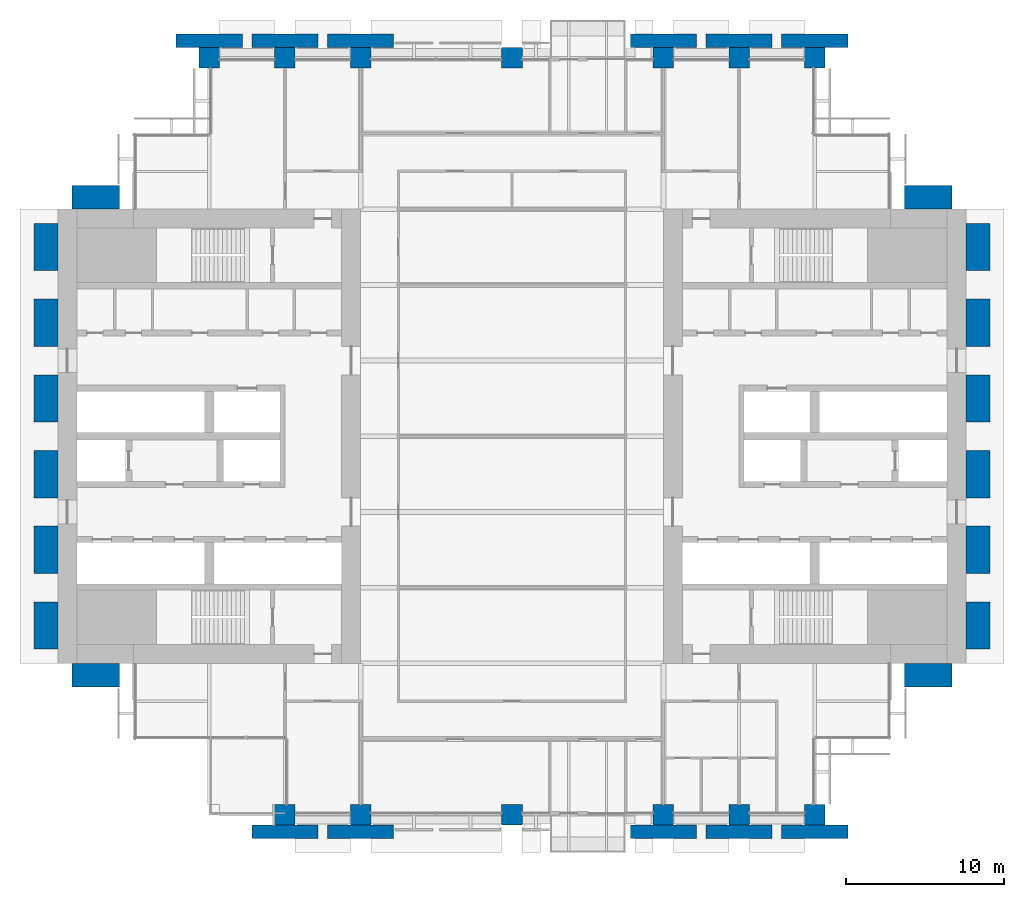
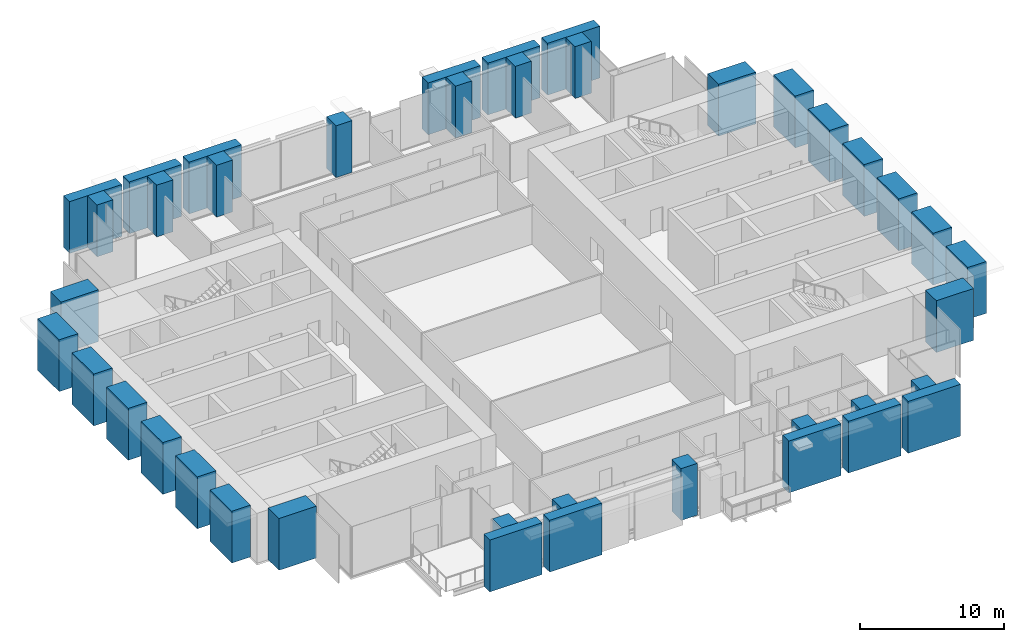
# One storey, part 1 of 15: 40 columns.
"""IFC4 building model written with IfcOpenShell, lengths in metres."""

from ifc_helpers import new_model, si_unit, direction, frame, origin, origin_2d, place, context, subcontext, project, spatial, rectangle, extrude, material, material_profile, profile_set, type_object, element, save


model = new_model("IFC4")

# Units and contexts
model_context = context("Model", 3, precision=1e-05, world=origin(), true_north=direction((0.0, 1.0)))
body_context = subcontext(model_context, "Body", "Model", "MODEL_VIEW")
ifc_project = project(units=[si_unit("LENGTHUNIT", "METRE"), si_unit("AREAUNIT", "SQUARE_METRE"), si_unit("VOLUMEUNIT", "CUBIC_METRE"), si_unit("PLANEANGLEUNIT", "RADIAN"), si_unit("MASSUNIT", "GRAM", prefix="KILO")], contexts=[model_context])

# Site, building, storey
site_placement = place(None, origin())
site = spatial("IfcSite", under=ifc_project, at=site_placement, CompositionType="ELEMENT")
building_placement = place(site_placement, origin())
building = spatial("IfcBuilding", under=site, at=building_placement, Name="Baori Bourse Tower", CompositionType="ELEMENT")
storey_placement = place(building_placement, frame((0.0, 0.0, 34.60009765625)))
storey = spatial("IfcBuildingStorey", under=building, at=storey_placement, Name="L06", CompositionType="ELEMENT", Elevation=34.60009765625)

# Columns
ifc_material_1 = material(Name="Concrete f'c 60 MPa", Category="concrete")
ifc_material_profile_1 = material_profile(ifc_material_1, rectangle(XDim=4.199951171875, YDim=0.85009765625, at=origin_2d()), Name="RC 4200x850")
ifc_profile_set_1 = profile_set([ifc_material_profile_1], Name="Concrete f'c 60 MPa")
column_type_1 = type_object("IfcColumnType", Name="FN3 Brick pilaster 4200x850", PredefinedType="PILASTER", material=ifc_profile_set_1)
for number, where, z_axis, x_axis, name in (
    (1, (14.39990234375, -1.074951171875, 0.0), (0.0, 0.0, 1.0), (1.0, 0.0, 0.0), "Brick pilaster L06 17"),
    (2, (19.199951171875, -1.074951171875, 0.0), (0.0, 0.0, 1.0), (1.0, 0.0, 0.0), "Brick pilaster L06 18"),
    (3, (38.39990234375, -1.074951171875, 0.0), (0.0, 0.0, 1.0), (1.0, 0.0, 0.0), "Brick pilaster L06 19"),
    (4, (43.199951171875, -1.074951171875, 0.0), (0.0, 0.0, 1.0), (1.0, 0.0, 0.0), "Brick pilaster L06 20"),
    (5, (48.0, -1.074951171875, 0.0), (0.0, 0.0, 1.0), (1.0, 0.0, 0.0), "Brick pilaster L06 21"),
    (6, (9.60009765625, 49.074951171875, 0.0), (0.0, 0.0, 1.0), (1.0, 0.0, 0.0), "Brick pilaster L06 22"),
    (7, (14.39990234375, 49.074951171875, 0.0), (0.0, 0.0, 1.0), (1.0, 0.0, 0.0), "Brick pilaster L06 23"),
    (8, (19.199951171875, 49.074951171875, 0.0), (0.0, 0.0, 1.0), (1.0, 0.0, 0.0), "Brick pilaster L06 24"),
    (9, (38.39990234375, 49.074951171875, 0.0), (0.0, 0.0, 1.0), (1.0, 0.0, 0.0), "Brick pilaster L06 25"),
    (10, (43.199951171875, 49.074951171875, 0.0), (0.0, 0.0, 1.0), (1.0, 0.0, 0.0), "Brick pilaster L06 26"),
    (11, (48.0, 49.074951171875, 0.0), (0.0, 0.0, 1.0), (1.0, 0.0, 0.0), "Brick pilaster L06 27"),
):
    element("IfcColumn", number, at=place(storey_placement, frame(where, z_axis=z_axis, x_axis=x_axis)), inside=storey, type_object=column_type_1, Name=name, PredefinedType="PILASTER", context=body_context, shape_type="SweptSolid", body=[
        extrude(rectangle(XDim=4.199951171875, YDim=0.85009765625, at=origin_2d()), origin(), (0.0, 0.0, 1.0), 4.39990234375),
    ])
ifc_material_2 = material(Name="Concrete f'c 60 MPa", Category="concrete")
ifc_material_profile_2 = material_profile(ifc_material_2, rectangle(XDim=3.0, YDim=1.5, at=origin_2d()), Name="RC 3000x1500")
ifc_profile_set_2 = profile_set([ifc_material_profile_2], Name="Concrete f'c 60 MPa")
column_type_2 = type_object("IfcColumnType", Name="FN4 Brick flank pilaster 3000x1500", PredefinedType="PILASTER", material=ifc_profile_set_2)
for number, where, z_axis, x_axis, name in (
    (12, (55.199951171875, 8.85009765625, 0.0), (0.0, 0.0, 1.0), (1.0, 0.0, 0.0), "Brick pilaster L06 1"),
    (13, (58.35009765625, 12.0, 0.0), (0.0, 0.0, 1.0), (0.0, 1.0, 0.0), "Brick pilaster L06 2"),
    (14, (58.35009765625, 16.800048828125, 0.0), (0.0, 0.0, 1.0), (0.0, 1.0, 0.0), "Brick pilaster L06 3"),
    (15, (58.35009765625, 21.60009765625, 0.0), (0.0, 0.0, 1.0), (0.0, 1.0, 0.0), "Brick pilaster L06 4"),
    (16, (58.35009765625, 26.39990234375, 0.0), (0.0, 0.0, 1.0), (0.0, 1.0, 0.0), "Brick pilaster L06 5"),
    (17, (58.35009765625, 31.199951171875, 0.0), (0.0, 0.0, 1.0), (0.0, 1.0, 0.0), "Brick pilaster L06 6"),
    (18, (58.35009765625, 36.0, 0.0), (0.0, 0.0, 1.0), (0.0, 1.0, 0.0), "Brick pilaster L06 7"),
    (19, (55.199951171875, 39.14990234375, 0.0), (0.0, 0.0, 1.0), (1.0, 0.0, 0.0), "Brick pilaster L06 8"),
    (20, (2.39990234375, 39.14990234375, 0.0), (0.0, 0.0, 1.0), (1.0, 0.0, 0.0), "Brick pilaster L06 9"),
    (21, (-0.75, 12.0, 0.0), (0.0, 0.0, 1.0), (0.0, 1.0, 0.0), "Brick pilaster L06 10"),
    (22, (-0.75, 16.800048828125, 0.0), (0.0, 0.0, 1.0), (0.0, 1.0, 0.0), "Brick pilaster L06 11"),
    (23, (-0.75, 21.60009765625, 0.0), (0.0, 0.0, 1.0), (0.0, 1.0, 0.0), "Brick pilaster L06 12"),
    (24, (-0.75, 26.39990234375, 0.0), (0.0, 0.0, 1.0), (0.0, 1.0, 0.0), "Brick pilaster L06 13"),
    (25, (-0.75, 31.199951171875, 0.0), (0.0, 0.0, 1.0), (0.0, 1.0, 0.0), "Brick pilaster L06 14"),
    (26, (-0.75, 36.0, 0.0), (0.0, 0.0, 1.0), (0.0, 1.0, 0.0), "Brick pilaster L06 15"),
    (27, (2.39990234375, 8.85009765625, 0.0), (0.0, 0.0, 1.0), (1.0, 0.0, 0.0), "Brick pilaster L06 16"),
):
    element("IfcColumn", number, at=place(storey_placement, frame(where, z_axis=z_axis, x_axis=x_axis)), inside=storey, type_object=column_type_2, Name=name, PredefinedType="PILASTER", context=body_context, shape_type="SweptSolid", body=[
        extrude(rectangle(XDim=3.0, YDim=1.5, at=origin_2d()), origin(), (0.0, 0.0, 1.0), 4.39990234375),
    ])
ifc_material_3 = material(Name="Concrete f'c 70 MPa", Category="concrete")
ifc_material_profile_3 = material_profile(ifc_material_3, rectangle(XDim=1.300048828125, YDim=1.300048828125, at=origin_2d()), Name="RC 1300x1300")
ifc_profile_set_3 = profile_set([ifc_material_profile_3], Name="Concrete f'c 70 MPa")
column_type_3 = type_object("IfcColumnType", Name="Perimeter column RC 1300x1300", PredefinedType="COLUMN", material=ifc_profile_set_3)
for number, where, z_axis, x_axis, name in (
    (28, (14.39990234375, 0.0, 0.0), (0.0, 0.0, 1.0), (1.0, 0.0, 0.0), "Perimeter column L06"),
    (29, (19.199951171875, 0.0, 0.0), (0.0, 0.0, 1.0), (1.0, 0.0, 0.0), "Perimeter column L06"),
    (30, (28.800048828125, 0.0, 0.0), (0.0, 0.0, 1.0), (1.0, 0.0, 0.0), "Perimeter column L06"),
    (31, (38.39990234375, 0.0, 0.0), (0.0, 0.0, 1.0), (1.0, 0.0, 0.0), "Perimeter column L06"),
    (32, (43.199951171875, 0.0, 0.0), (0.0, 0.0, 1.0), (1.0, 0.0, 0.0), "Perimeter column L06"),
    (33, (48.0, 0.0, 0.0), (0.0, 0.0, 1.0), (1.0, 0.0, 0.0), "Perimeter column L06"),
    (34, (9.60009765625, 48.0, 0.0), (0.0, 0.0, 1.0), (1.0, 0.0, 0.0), "Perimeter column L06"),
    (35, (14.39990234375, 48.0, 0.0), (0.0, 0.0, 1.0), (1.0, 0.0, 0.0), "Perimeter column L06"),
    (36, (19.199951171875, 48.0, 0.0), (0.0, 0.0, 1.0), (1.0, 0.0, 0.0), "Perimeter column L06"),
    (37, (28.800048828125, 48.0, 0.0), (0.0, 0.0, 1.0), (1.0, 0.0, 0.0), "Perimeter column L06"),
    (38, (38.39990234375, 48.0, 0.0), (0.0, 0.0, 1.0), (1.0, 0.0, 0.0), "Perimeter column L06"),
    (39, (43.199951171875, 48.0, 0.0), (0.0, 0.0, 1.0), (1.0, 0.0, 0.0), "Perimeter column L06"),
    (40, (48.0, 48.0, 0.0), (0.0, 0.0, 1.0), (1.0, 0.0, 0.0), "Perimeter column L06"),
):
    element("IfcColumn", number, at=place(storey_placement, frame(where, z_axis=z_axis, x_axis=x_axis)), inside=storey, type_object=column_type_3, Name=name, PredefinedType="COLUMN", context=body_context, shape_type="SweptSolid", body=[
        extrude(rectangle(XDim=1.300048828125, YDim=1.300048828125, at=origin_2d()), origin(), (0.0, 0.0, 1.0), 4.39990234375),
    ])

save(model, "model.ifc")
